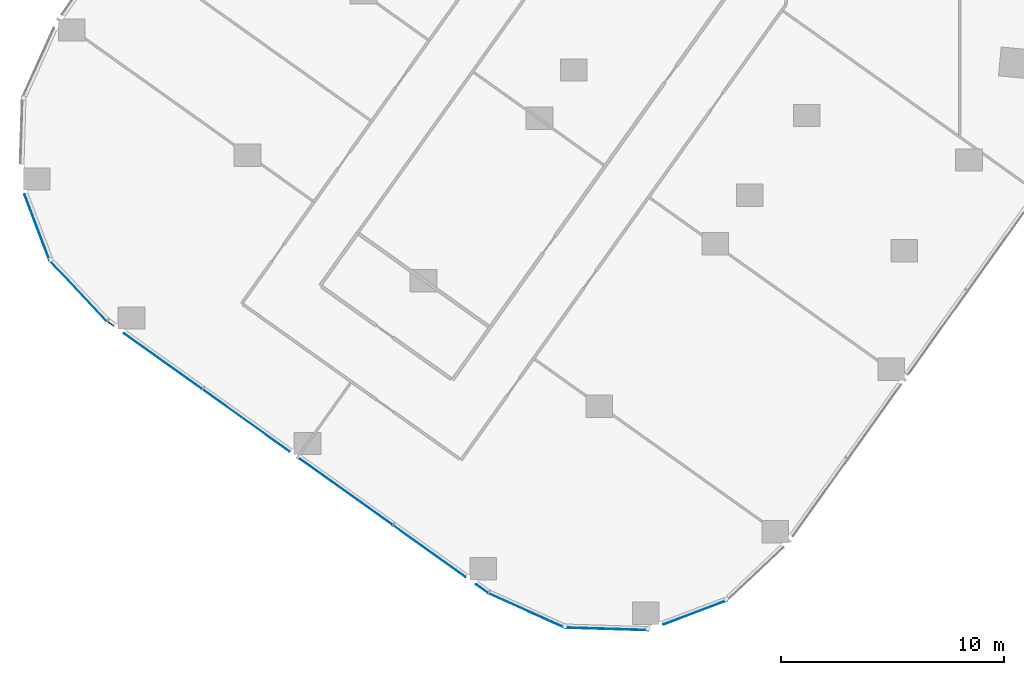
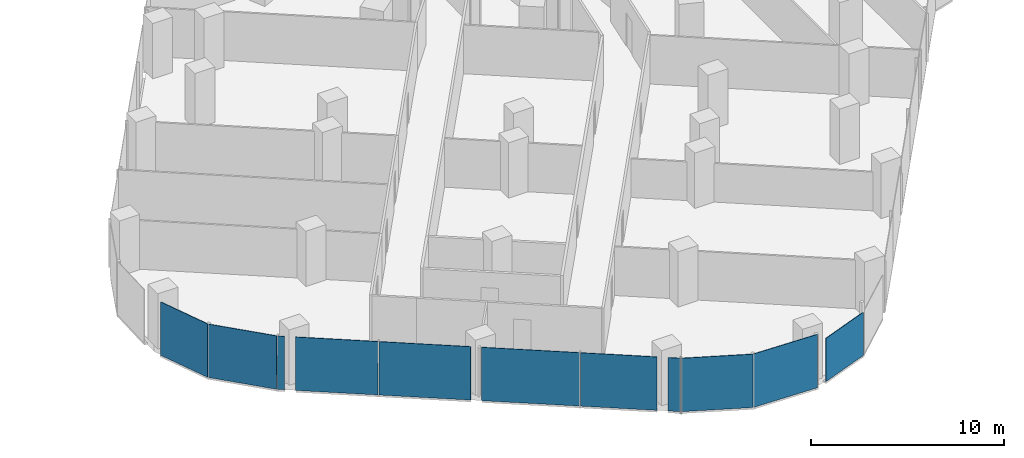
# One storey, part 16 of 31: 11 plates, 6 elements without a shape of their own.
"""IFC4 building model written with IfcOpenShell, lengths in metres."""

from ifc_helpers import new_model, si_unit, direction, frame, origin, origin_2d, place, context, subcontext, project, spatial, rectangle, extrude, material, layer, layer_set, type_object, element, aggregate, save


model = new_model("IFC4")

# Units and contexts
model_context = context("Model", 3, precision=1e-05, world=origin(), true_north=direction((0.0, 1.0)))
body_context = subcontext(model_context, "Body", "Model", "MODEL_VIEW")
ifc_project = project(units=[si_unit("LENGTHUNIT", "METRE"), si_unit("AREAUNIT", "SQUARE_METRE"), si_unit("VOLUMEUNIT", "CUBIC_METRE"), si_unit("PLANEANGLEUNIT", "RADIAN"), si_unit("MASSUNIT", "GRAM", prefix="KILO")], contexts=[model_context])

# Site, building, storey
site_placement = place(None, origin())
site = spatial("IfcSite", under=ifc_project, at=site_placement, CompositionType="ELEMENT")
building_placement = place(site_placement, origin())
building = spatial("IfcBuilding", under=site, at=building_placement, Name="Orlundy Tower", CompositionType="ELEMENT")
storey_placement = place(building_placement, frame((0.0, 0.0, 94.699951171875)))
storey = spatial("IfcBuildingStorey", under=building, at=storey_placement, Name="L23", CompositionType="ELEMENT", Elevation=94.699951171875)

# Curtain wall, plate
ifc_material_1 = material(Name="Aluminium bronze anodised", Category="aluminium")
curtain_wall_type = type_object("IfcCurtainWallType", Name="CW1 wall", PredefinedType="NOTDEFINED", material=ifc_material_1)
curtain_wall_1_placement = place(storey_placement, origin())
curtain_wall_1 = element("IfcCurtainWall", 1, at=curtain_wall_1_placement, inside=storey, type_object=curtain_wall_type, Name="CW1 run 020", PredefinedType="NOTDEFINED")
ifc_material_2 = material(Name="Tinted glass", Category="glass")
ifc_layer = layer(ifc_material_2, 0.031982421875)
ifc_layer_set = layer_set([ifc_layer], Name="CW1 glass panel 32")
plate_type = type_object("IfcPlateType", Name="CW1 glass panel 32", PredefinedType="CURTAIN_PANEL", material=ifc_layer_set)
plate_1_placement = place(storey_placement, frame((-17.37158203125, -56.3564453125, -0.27978515625), z_axis=(0.0, 0.0, 1.0), x_axis=(-0.935182458523, -0.354166301715, 0.0)))
plate_1 = element("IfcPlate", 2, at=plate_1_placement, type_object=plate_type, Name="CW1 panel", PredefinedType="CURTAIN_PANEL", context=body_context, shape_type="SweptSolid", body=[
    extrude(rectangle(XDim=3.052490234375, YDim=0.031982421875, at=origin_2d()), origin(), (0.0, 0.0, 1.0), 2.739990234375),
])
aggregate(curtain_wall_1, [plate_1])

curtain_wall_2_placement = place(storey_placement, origin())
curtain_wall_2 = element("IfcCurtainWall", 3, at=curtain_wall_2_placement, inside=storey, type_object=curtain_wall_type, Name="CW1 run 021", PredefinedType="NOTDEFINED")
plate_2_placement = place(storey_placement, frame((-21.357421875, -57.094482421875, -0.27978515625), z_axis=(0.0, 0.0, 1.0), x_axis=(-0.999535219812, 0.030485149754, 0.0)))
plate_2 = element("IfcPlate", 4, at=plate_2_placement, type_object=plate_type, Name="CW1 panel", PredefinedType="CURTAIN_PANEL", context=body_context, shape_type="SweptSolid", body=[
    extrude(rectangle(XDim=3.77197265625, YDim=0.031982421875, at=origin_2d()), origin(), (0.0, 0.0, 1.0), 3.3798828125),
])
aggregate(curtain_wall_2, [plate_2])

curtain_wall_3_placement = place(storey_placement, origin())
curtain_wall_3 = element("IfcCurtainWall", 5, at=curtain_wall_3_placement, inside=storey, type_object=curtain_wall_type, Name="CW1 run 022", PredefinedType="NOTDEFINED")
plate_3_placement = place(storey_placement, frame((-24.94287109375, -56.2705078125, -0.27978515625), z_axis=(0.0, 0.0, 1.0), x_axis=(-0.911673970719, 0.410914311157, 0.0)))
plate_3 = element("IfcPlate", 6, at=plate_3_placement, type_object=plate_type, Name="CW1 panel", PredefinedType="CURTAIN_PANEL", context=body_context, shape_type="SweptSolid", body=[
    extrude(rectangle(XDim=3.72998046875, YDim=0.031982421875, at=origin_2d()), origin(), (0.0, 0.0, 1.0), 3.3798828125),
])
aggregate(curtain_wall_3, [plate_3])

# Curtain wall, plates
curtain_wall_4_placement = place(storey_placement, origin())
curtain_wall_4 = element("IfcCurtainWall", 7, at=curtain_wall_4_placement, inside=storey, type_object=curtain_wall_type, Name="CW1 run 023", PredefinedType="NOTDEFINED")
plate_4_placement = place(storey_placement, frame((-26.953857421875, -55.28857421875, -0.27978515625), z_axis=(0.0, 0.0, 1.0), x_axis=(-0.814141892545, 0.580665978686, 0.0)))
plate_4 = element("IfcPlate", 8, at=plate_4_placement, type_object=plate_type, Name="CW1 panel", PredefinedType="CURTAIN_PANEL", context=body_context, shape_type="SweptSolid", body=[
    extrude(rectangle(XDim=0.65673828125, YDim=0.031982421875, at=origin_2d()), origin(), (0.0, 0.0, 1.0), 3.3798828125),
])
plate_5_placement = place(storey_placement, frame((-29.31005859375, -53.608154296875, -0.27978515625), z_axis=(0.0, 0.0, 1.0), x_axis=(-0.814141892545, 0.580665978686, 0.0)))
plate_5 = element("IfcPlate", 9, at=plate_5_placement, type_object=plate_type, Name="CW1 panel", PredefinedType="CURTAIN_PANEL", context=body_context, shape_type="SweptSolid", body=[
    extrude(rectangle(XDim=3.987060546875, YDim=0.031982421875, at=origin_2d()), origin(), (0.0, 0.0, 1.0), 3.3798828125),
])
plate_6_placement = place(storey_placement, frame((-33.045654296875, -50.94384765625, -0.27978515625), z_axis=(0.0, 0.0, 1.0), x_axis=(-0.814141892545, 0.580665978686, 0.0)))
plate_6 = element("IfcPlate", 10, at=plate_6_placement, type_object=plate_type, Name="CW1 panel", PredefinedType="CURTAIN_PANEL", context=body_context, shape_type="SweptSolid", body=[
    extrude(rectangle(XDim=5.08984375, YDim=0.031982421875, at=origin_2d()), origin(), (0.0, 0.0, 1.0), 3.3798828125),
])
plate_7_placement = place(storey_placement, frame((-37.53271484375, -47.743408203125, -0.27978515625), z_axis=(0.0, 0.0, 1.0), x_axis=(-0.814141892545, 0.580665978686, 0.0)))
plate_7 = element("IfcPlate", 11, at=plate_7_placement, type_object=plate_type, Name="CW1 panel", PredefinedType="CURTAIN_PANEL", context=body_context, shape_type="SweptSolid", body=[
    extrude(rectangle(XDim=4.787353515625, YDim=0.031982421875, at=origin_2d()), origin(), (0.0, 0.0, 1.0), 3.3798828125),
])
plate_8_placement = place(storey_placement, frame((-41.26904296875, -45.078857421875, -0.27978515625), z_axis=(0.0, 0.0, 1.0), x_axis=(-0.814141892545, 0.580665978686, 0.0)))
plate_8 = element("IfcPlate", 12, at=plate_8_placement, type_object=plate_type, Name="CW1 panel", PredefinedType="CURTAIN_PANEL", context=body_context, shape_type="SweptSolid", body=[
    extrude(rectangle(XDim=4.290771484375, YDim=0.031982421875, at=origin_2d()), origin(), (0.0, 0.0, 1.0), 3.3798828125),
])
plate_9_placement = place(storey_placement, frame((-43.625, -43.3984375, -0.27978515625), z_axis=(0.0, 0.0, 1.0), x_axis=(-0.814141892545, 0.580665978686, 0.0)))
plate_9 = element("IfcPlate", 13, at=plate_9_placement, type_object=plate_type, Name="CW1 panel", PredefinedType="CURTAIN_PANEL", context=body_context, shape_type="SweptSolid", body=[
    extrude(rectangle(XDim=0.353759765625, YDim=0.031982421875, at=origin_2d()), origin(), (0.0, 0.0, 1.0), 3.3798828125),
])
aggregate(curtain_wall_4, [plate_4, plate_5, plate_6, plate_7, plate_8, plate_9])

# Curtain wall, plate
curtain_wall_5_placement = place(storey_placement, origin())
curtain_wall_5 = element("IfcCurtainWall", 14, at=curtain_wall_5_placement, inside=storey, type_object=curtain_wall_type, Name="CW1 run 024", PredefinedType="NOTDEFINED")
plate_10_placement = place(storey_placement, frame((-45.084716796875, -41.904296875, -0.27978515625), z_axis=(0.0, 0.0, 1.0), x_axis=(-0.685196388583, 0.728358365828, 0.0)))
plate_10 = element("IfcPlate", 15, at=plate_10_placement, type_object=plate_type, Name="CW1 panel", PredefinedType="CURTAIN_PANEL", context=body_context, shape_type="SweptSolid", body=[
    extrude(rectangle(XDim=3.730712890625, YDim=0.031982421875, at=origin_2d()), origin(), (0.0, 0.0, 1.0), 3.3798828125),
])
aggregate(curtain_wall_5, [plate_10])

curtain_wall_6_placement = place(storey_placement, origin())
curtain_wall_6 = element("IfcCurtainWall", 16, at=curtain_wall_6_placement, inside=storey, type_object=curtain_wall_type, Name="CW1 run 025", PredefinedType="NOTDEFINED")
plate_11_placement = place(storey_placement, frame((-46.92236328125, -39.068359375, -0.27978515625), z_axis=(0.0, 0.0, 1.0), x_axis=(-0.354166301715, 0.935182458523, 0.0)))
plate_11 = element("IfcPlate", 17, at=plate_11_placement, type_object=plate_type, Name="CW1 panel", PredefinedType="CURTAIN_PANEL", context=body_context, shape_type="SweptSolid", body=[
    extrude(rectangle(XDim=3.159423828125, YDim=0.031982421875, at=origin_2d()), origin(), (0.0, 0.0, 1.0), 3.3798828125),
])
aggregate(curtain_wall_6, [plate_11])

save(model, "model.ifc")
